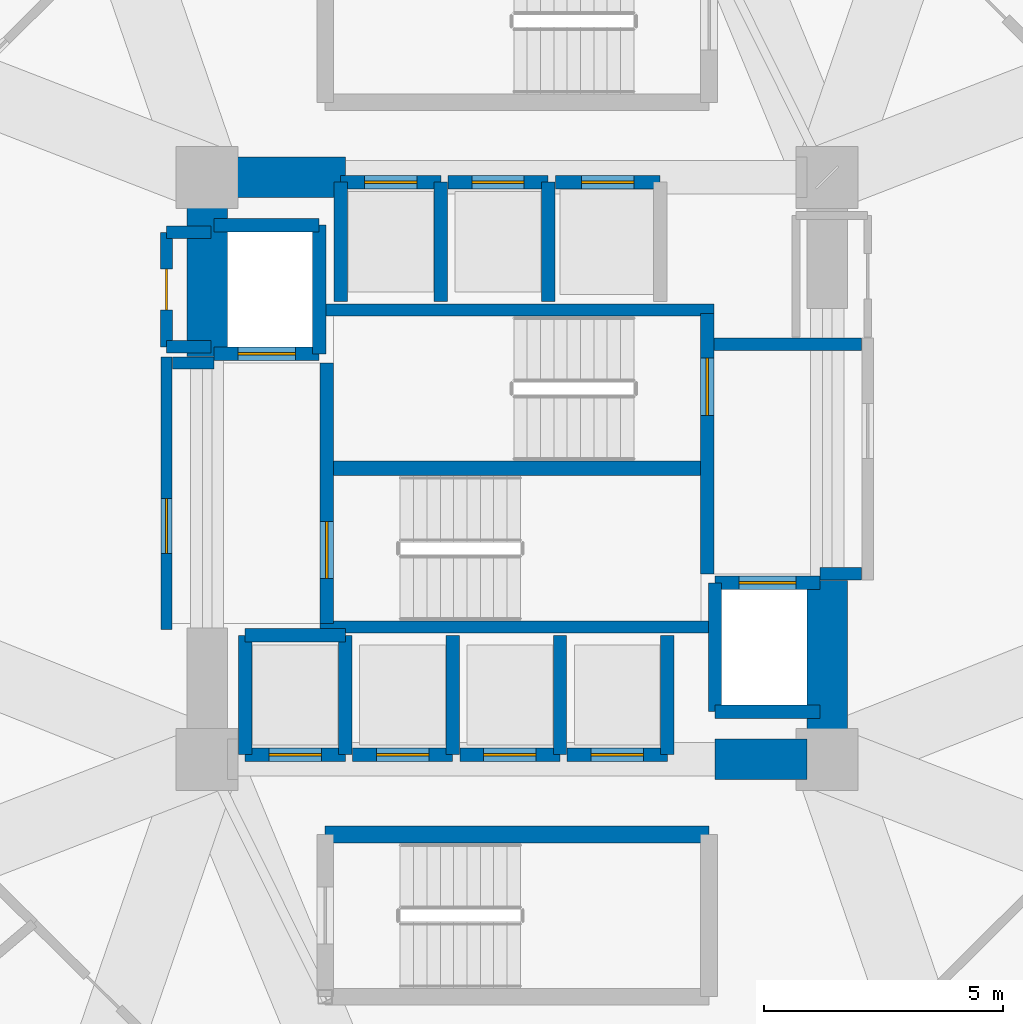
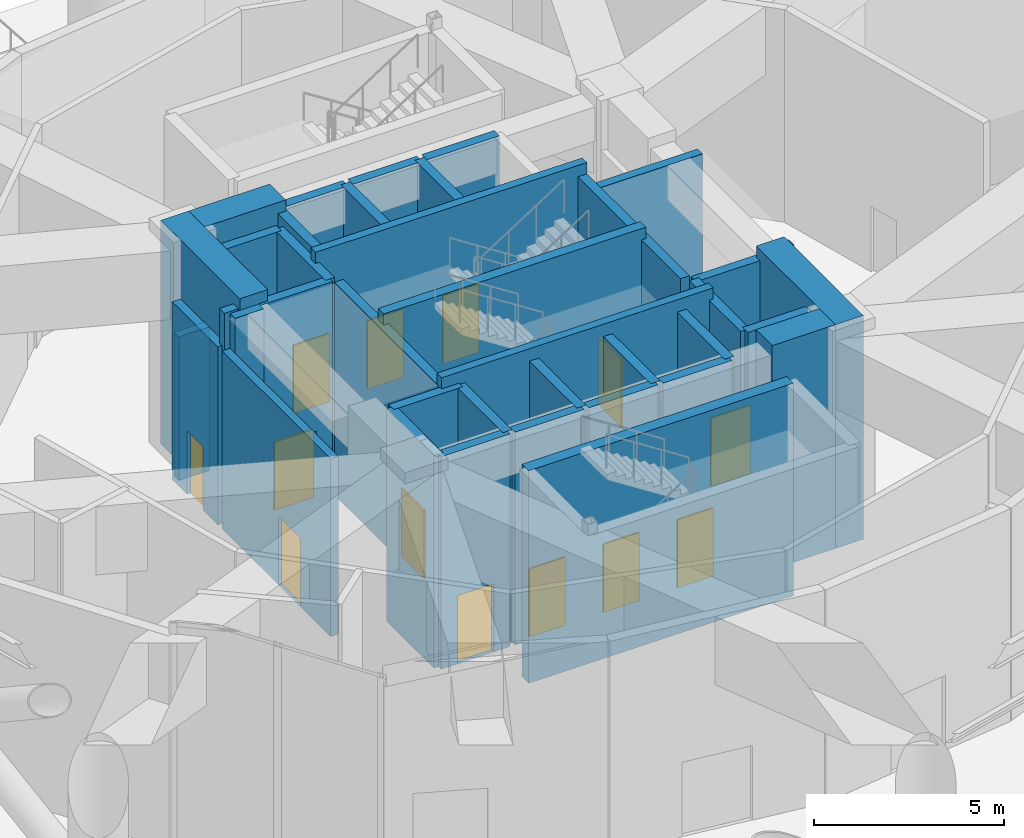
# One storey, part 10 of 16: 39 walls, 13 doors, 13 openings.
"""IFC4 building model written with IfcOpenShell, lengths in metres."""

from ifc_helpers import new_model, si_unit, direction, frame, frame_2d, origin, place, context, subcontext, project, spatial, rectangle, extrude, material, layer, layer_set, type_object, element, fill, save


model = new_model("IFC4")

# Units and contexts
model_context = context("Model", 3, precision=1e-05, world=origin(), true_north=direction((0.0, 1.0)))
body_context = subcontext(model_context, "Body", "Model", "MODEL_VIEW")
ifc_project = project(units=[si_unit("LENGTHUNIT", "METRE"), si_unit("AREAUNIT", "SQUARE_METRE"), si_unit("VOLUMEUNIT", "CUBIC_METRE"), si_unit("PLANEANGLEUNIT", "RADIAN"), si_unit("MASSUNIT", "GRAM", prefix="KILO")], contexts=[model_context])

# Site, building, storey
site_placement = place(None, origin())
site = spatial("IfcSite", under=ifc_project, at=site_placement, CompositionType="ELEMENT")
building_placement = place(site_placement, origin())
building = spatial("IfcBuilding", under=site, at=building_placement, Name="Solvirekh Grand Hotel", CompositionType="ELEMENT")
storey_placement = place(building_placement, origin())
storey = spatial("IfcBuildingStorey", under=building, at=storey_placement, Name="L00", CompositionType="ELEMENT", Elevation=0.0)

# Walls
ifc_material_1 = material(Name="Concrete C50/60", Category="concrete")
ifc_layer_1 = layer(ifc_material_1, 0.35009765625)
ifc_layer_set_1 = layer_set([ifc_layer_1], Name="Concrete C50/60")
wall_type_1 = type_object("IfcWallType", Name="CoreDivWall_RC350", PredefinedType="SOLIDWALL", material=ifc_layer_set_1)
for number, where, z_axis, x_axis, name in (
    (1, (-4.1298828125, -3.324951171875, 0.0), (0.0, 0.0, 1.0), (1.0, 0.0, 0.0), "L00 core stair box wall ST-S"),
    (2, (-4.1298828125, 3.324951171875, 0.0), (0.0, 0.0, 1.0), (1.0, 0.0, 0.0), "L00 core stair box wall ST-N"),
):
    element("IfcWall", number, at=place(storey_placement, frame(where, z_axis=z_axis, x_axis=x_axis)), inside=storey, type_object=wall_type_1, Name=name, PredefinedType="SOLIDWALL", context=body_context, shape_type="SweptSolid", body=[
        extrude(rectangle(XDim=8.259765625, YDim=0.25, at=frame_2d((4.1298828125, 0.0))), origin(), (0.0, 0.0, 1.0), 7.199951171875),
    ])
wall_1_placement = place(storey_placement, frame((4.02490234375, -7.675048828125, 0.0), z_axis=(0.0, 0.0, 1.0), x_axis=(-1.0, 0.0, 0.0)))
element("IfcWall", 3, at=wall_1_placement, inside=storey, type_object=wall_type_1, Name="L00 podium stair ST-3 N enclosure wall", PredefinedType="SOLIDWALL", context=body_context, shape_type="SweptSolid", body=[
    extrude(rectangle(XDim=8.0498046875, YDim=0.35009765625, at=frame_2d((4.02490234375, 0.0))), origin(), (0.0, 0.0, 1.0), 6.840087890625),
])

# Wall, opening, door
ifc_material_2 = material(Name="Concrete C40/50", Category="concrete")
ifc_layer_2 = layer(ifc_material_2, 0.280029296875)
ifc_layer_set_2 = layer_set([ifc_layer_2], Name="Concrete C40/50")
wall_type_2 = type_object("IfcWallType", Name="CoreShaftWall_RC280", PredefinedType="SOLIDWALL", material=ifc_layer_set_2)
wall_2_placement = place(storey_placement, frame((-5.699951171875, -6.0, 0.0), z_axis=(0.0, 0.0, 1.0), x_axis=(1.0, 0.0, 0.0)))
wall_2 = element("IfcWall", 4, at=wall_2_placement, inside=storey, type_object=wall_type_2, Name="L00 LP-1 hoistway S wall", PredefinedType="SOLIDWALL", context=body_context, shape_type="SweptSolid", body=[
    extrude(rectangle(XDim=2.099853515625, YDim=0.280029296875, at=frame_2d((1.0498046875, 0.0))), origin(), (0.0, 0.0, 1.0), 6.840087890625),
])
opening_1_placement = place(wall_2_placement, frame((0.5, 0.0, 0.0)))
opening_1 = element("IfcOpeningElement", 5, at=opening_1_placement, cuts=wall_2, Name="Opening LD01", PredefinedType="OPENING", context=body_context, shape_type="SweptSolid", body=[
    extrude(rectangle(XDim=1.10009765625, YDim=2.199951171875, at=frame_2d((0.550048828125, 1.10009765625))), frame((0.0, 0.14990234375, 0.0), z_axis=(0.0, -1.0, 0.0), x_axis=(1.0, 0.0, 0.0)), (0.0, 0.0, 1.0), 0.300048828125),
])
ifc_material_3 = material(Name="Fire-Rated Steel Door Assembly", Category="steel")
door_type_1 = type_object("IfcDoorType", Name="Door_LiftLanding_1100X2200", OperationType="SLIDING_TO_LEFT", PredefinedType="DOOR", material=ifc_material_3)
door_1_placement = place(opening_1_placement, origin())
door_1 = element("IfcDoor", 6, at=door_1_placement, inside=storey, type_object=door_type_1, Name="L00 LP-1 sliding lift landing door", OperationType="SLIDING_TO_LEFT", OverallHeight=2.199951171875, OverallWidth=1.10009765625, PredefinedType="DOOR", context=body_context, shape_type="SweptSolid", body=[
    extrude(rectangle(XDim=1.10009765625, YDim=2.199951171875, at=frame_2d((0.550048828125, 1.10009765625))), frame((0.0, 0.02490234375, 0.0), z_axis=(0.0, -1.0, 0.0), x_axis=(1.0, 0.0, 0.0)), (0.0, 0.0, 1.0), 0.050048828125),
])
fill(opening_1, door_1)

# Walls
wall_3_placement = place(storey_placement, frame((-3.60009765625, -3.5, 0.0), z_axis=(0.0, 0.0, 1.0), x_axis=(-1.0, 0.0, 0.0)))
element("IfcWall", 7, at=wall_3_placement, inside=storey, type_object=wall_type_2, Name="L00 LP-1 hoistway N wall", PredefinedType="SOLIDWALL", context=body_context, shape_type="SweptSolid", body=[
    extrude(rectangle(XDim=2.099853515625, YDim=0.280029296875, at=frame_2d((1.0498046875, 0.0))), origin(), (0.0, 0.0, 1.0), 6.840087890625),
])
for number, where, z_axis, x_axis, name in (
    (8, (-5.699951171875, -3.5, 0.0), (0.0, 0.0, 1.0), (0.0, -1.0, 0.0), "L00 LP-1 hoistway W wall"),
    (9, (-3.60009765625, -6.0, 0.0), (0.0, 0.0, 1.0), (0.0, 1.0, 0.0), "L00 LP-1 hoistway E wall"),
):
    element("IfcWall", number, at=place(storey_placement, frame(where, z_axis=z_axis, x_axis=x_axis)), inside=storey, type_object=wall_type_2, Name=name, PredefinedType="SOLIDWALL", context=body_context, shape_type="SweptSolid", body=[
        extrude(rectangle(XDim=2.5, YDim=0.280029296875, at=frame_2d((1.25, 0.0))), origin(), (0.0, 0.0, 1.0), 6.840087890625),
    ])

# Wall, opening, door
wall_4_placement = place(storey_placement, frame((-3.449951171875, -6.0, 0.0), z_axis=(0.0, 0.0, 1.0), x_axis=(1.0, 0.0, 0.0)))
wall_4 = element("IfcWall", 10, at=wall_4_placement, inside=storey, type_object=wall_type_2, Name="L00 LP-2 hoistway S wall", PredefinedType="SOLIDWALL", context=body_context, shape_type="SweptSolid", body=[
    extrude(rectangle(XDim=2.099853515625, YDim=0.280029296875, at=frame_2d((1.0498046875, 0.0))), origin(), (0.0, 0.0, 1.0), 6.840087890625),
])
opening_2_placement = place(wall_4_placement, frame((0.5, 0.0, 0.0)))
opening_2 = element("IfcOpeningElement", 11, at=opening_2_placement, cuts=wall_4, Name="Opening LD01", PredefinedType="OPENING", context=body_context, shape_type="SweptSolid", body=[
    extrude(rectangle(XDim=1.10009765625, YDim=2.199951171875, at=frame_2d((0.550048828125, 1.10009765625))), frame((0.0, 0.14990234375, 0.0), z_axis=(0.0, -1.0, 0.0), x_axis=(1.0, 0.0, 0.0)), (0.0, 0.0, 1.0), 0.300048828125),
])
door_2_placement = place(opening_2_placement, origin())
door_2 = element("IfcDoor", 12, at=door_2_placement, inside=storey, type_object=door_type_1, Name="L00 LP-2 sliding lift landing door", OperationType="SLIDING_TO_LEFT", OverallHeight=2.199951171875, OverallWidth=1.10009765625, PredefinedType="DOOR", context=body_context, shape_type="SweptSolid", body=[
    extrude(rectangle(XDim=1.10009765625, YDim=2.199951171875, at=frame_2d((0.550048828125, 1.10009765625))), frame((0.0, 0.02490234375, 0.0), z_axis=(0.0, -1.0, 0.0), x_axis=(1.0, 0.0, 0.0)), (0.0, 0.0, 1.0), 0.050048828125),
])
fill(opening_2, door_2)

# Wall
wall_5_placement = place(storey_placement, frame((-1.35009765625, -6.0, 0.0), z_axis=(0.0, 0.0, 1.0), x_axis=(0.0, 1.0, 0.0)))
element("IfcWall", 13, at=wall_5_placement, inside=storey, type_object=wall_type_2, Name="L00 LP-2 hoistway E wall", PredefinedType="SOLIDWALL", context=body_context, shape_type="SweptSolid", body=[
    extrude(rectangle(XDim=2.5, YDim=0.280029296875, at=frame_2d((1.25, 0.0))), origin(), (0.0, 0.0, 1.0), 6.840087890625),
])

# Wall, opening, door
wall_6_placement = place(storey_placement, frame((-1.199951171875, -6.0, 0.0), z_axis=(0.0, 0.0, 1.0), x_axis=(1.0, 0.0, 0.0)))
wall_6 = element("IfcWall", 14, at=wall_6_placement, inside=storey, type_object=wall_type_2, Name="L00 MP-1 hoistway S wall", PredefinedType="SOLIDWALL", context=body_context, shape_type="SweptSolid", body=[
    extrude(rectangle(XDim=2.099853515625, YDim=0.280029296875, at=frame_2d((1.0498046875, 0.0))), origin(), (0.0, 0.0, 1.0), 6.840087890625),
])
opening_3_placement = place(wall_6_placement, frame((0.5, 0.0, 0.0)))
opening_3 = element("IfcOpeningElement", 15, at=opening_3_placement, cuts=wall_6, Name="Opening LD01", PredefinedType="OPENING", context=body_context, shape_type="SweptSolid", body=[
    extrude(rectangle(XDim=1.10009765625, YDim=2.199951171875, at=frame_2d((0.550048828125, 1.10009765625))), frame((0.0, 0.14990234375, 0.0), z_axis=(0.0, -1.0, 0.0), x_axis=(1.0, 0.0, 0.0)), (0.0, 0.0, 1.0), 0.300048828125),
])
door_3_placement = place(opening_3_placement, origin())
door_3 = element("IfcDoor", 16, at=door_3_placement, inside=storey, type_object=door_type_1, Name="L00 MP-1 sliding lift landing door", OperationType="SLIDING_TO_LEFT", OverallHeight=2.199951171875, OverallWidth=1.10009765625, PredefinedType="DOOR", context=body_context, shape_type="SweptSolid", body=[
    extrude(rectangle(XDim=1.10009765625, YDim=2.199951171875, at=frame_2d((0.550048828125, 1.10009765625))), frame((0.0, 0.02490234375, 0.0), z_axis=(0.0, -1.0, 0.0), x_axis=(1.0, 0.0, 0.0)), (0.0, 0.0, 1.0), 0.050048828125),
])
fill(opening_3, door_3)

# Wall
wall_7_placement = place(storey_placement, frame((0.89990234375, -6.0, 0.0), z_axis=(0.0, 0.0, 1.0), x_axis=(0.0, 1.0, 0.0)))
element("IfcWall", 17, at=wall_7_placement, inside=storey, type_object=wall_type_2, Name="L00 MP-1 hoistway E wall", PredefinedType="SOLIDWALL", context=body_context, shape_type="SweptSolid", body=[
    extrude(rectangle(XDim=2.5, YDim=0.280029296875, at=frame_2d((1.25, 0.0))), origin(), (0.0, 0.0, 1.0), 6.840087890625),
])

# Wall, opening, door
wall_8_placement = place(storey_placement, frame((1.050048828125, -6.0, 0.0), z_axis=(0.0, 0.0, 1.0), x_axis=(1.0, 0.0, 0.0)))
wall_8 = element("IfcWall", 18, at=wall_8_placement, inside=storey, type_object=wall_type_2, Name="L00 MP-2 hoistway S wall", PredefinedType="SOLIDWALL", context=body_context, shape_type="SweptSolid", body=[
    extrude(rectangle(XDim=2.099853515625, YDim=0.280029296875, at=frame_2d((1.0498046875, 0.0))), origin(), (0.0, 0.0, 1.0), 6.840087890625),
])
opening_4_placement = place(wall_8_placement, frame((0.5, 0.0, 0.0)))
opening_4 = element("IfcOpeningElement", 19, at=opening_4_placement, cuts=wall_8, Name="Opening LD01", PredefinedType="OPENING", context=body_context, shape_type="SweptSolid", body=[
    extrude(rectangle(XDim=1.10009765625, YDim=2.199951171875, at=frame_2d((0.550048828125, 1.10009765625))), frame((0.0, 0.14990234375, 0.0), z_axis=(0.0, -1.0, 0.0), x_axis=(1.0, 0.0, 0.0)), (0.0, 0.0, 1.0), 0.300048828125),
])
door_4_placement = place(opening_4_placement, origin())
door_4 = element("IfcDoor", 20, at=door_4_placement, inside=storey, type_object=door_type_1, Name="L00 MP-2 sliding lift landing door", OperationType="SLIDING_TO_LEFT", OverallHeight=2.199951171875, OverallWidth=1.10009765625, PredefinedType="DOOR", context=body_context, shape_type="SweptSolid", body=[
    extrude(rectangle(XDim=1.10009765625, YDim=2.199951171875, at=frame_2d((0.550048828125, 1.10009765625))), frame((0.0, 0.02490234375, 0.0), z_axis=(0.0, -1.0, 0.0), x_axis=(1.0, 0.0, 0.0)), (0.0, 0.0, 1.0), 0.050048828125),
])
fill(opening_4, door_4)

# Wall
wall_9_placement = place(storey_placement, frame((3.14990234375, -6.0, 0.0), z_axis=(0.0, 0.0, 1.0), x_axis=(0.0, 1.0, 0.0)))
element("IfcWall", 21, at=wall_9_placement, inside=storey, type_object=wall_type_2, Name="L00 MP-2 hoistway E wall", PredefinedType="SOLIDWALL", context=body_context, shape_type="SweptSolid", body=[
    extrude(rectangle(XDim=2.5, YDim=0.280029296875, at=frame_2d((1.25, 0.0))), origin(), (0.0, 0.0, 1.0), 6.840087890625),
])

# Wall, opening, door
wall_10_placement = place(storey_placement, frame((-1.60009765625, 6.0, 0.0), z_axis=(0.0, 0.0, 1.0), x_axis=(-1.0, 0.0, 0.0)))
wall_10 = element("IfcWall", 22, at=wall_10_placement, inside=storey, type_object=wall_type_2, Name="L00 HP-1 hoistway N wall", PredefinedType="SOLIDWALL", context=body_context, shape_type="SweptSolid", body=[
    extrude(rectangle(XDim=2.099853515625, YDim=0.280029296875, at=frame_2d((1.0498046875, 0.0))), origin(), (0.0, 0.0, 1.0), 6.840087890625),
])
opening_5_placement = place(wall_10_placement, frame((0.5, 0.0, 0.0)))
opening_5 = element("IfcOpeningElement", 23, at=opening_5_placement, cuts=wall_10, Name="Opening LD01", PredefinedType="OPENING", context=body_context, shape_type="SweptSolid", body=[
    extrude(rectangle(XDim=1.10009765625, YDim=2.199951171875, at=frame_2d((0.550048828125, 1.10009765625))), frame((0.0, 0.14990234375, 0.0), z_axis=(0.0, -1.0, 0.0), x_axis=(1.0, 0.0, 0.0)), (0.0, 0.0, 1.0), 0.300048828125),
])
door_5_placement = place(opening_5_placement, origin())
door_5 = element("IfcDoor", 24, at=door_5_placement, inside=storey, type_object=door_type_1, Name="L00 HP-1 sliding lift landing door", OperationType="SLIDING_TO_LEFT", OverallHeight=2.199951171875, OverallWidth=1.10009765625, PredefinedType="DOOR", context=body_context, shape_type="SweptSolid", body=[
    extrude(rectangle(XDim=1.10009765625, YDim=2.199951171875, at=frame_2d((0.550048828125, 1.10009765625))), frame((0.0, 0.02490234375, 0.0), z_axis=(0.0, -1.0, 0.0), x_axis=(1.0, 0.0, 0.0)), (0.0, 0.0, 1.0), 0.050048828125),
])
fill(opening_5, door_5)

# Walls
for number, where, z_axis, x_axis, name in (
    (25, (-3.699951171875, 6.0, 0.0), (0.0, 0.0, 1.0), (0.0, -1.0, 0.0), "L00 HP-1 hoistway W wall"),
    (26, (-1.60009765625, 3.5, 0.0), (0.0, 0.0, 1.0), (0.0, 1.0, 0.0), "L00 HP-1 hoistway E wall"),
):
    element("IfcWall", number, at=place(storey_placement, frame(where, z_axis=z_axis, x_axis=x_axis)), inside=storey, type_object=wall_type_2, Name=name, PredefinedType="SOLIDWALL", context=body_context, shape_type="SweptSolid", body=[
        extrude(rectangle(XDim=2.5, YDim=0.280029296875, at=frame_2d((1.25, 0.0))), origin(), (0.0, 0.0, 1.0), 6.840087890625),
    ])

# Wall, opening, door
wall_11_placement = place(storey_placement, frame((0.64990234375, 6.0, 0.0), z_axis=(0.0, 0.0, 1.0), x_axis=(-1.0, 0.0, 0.0)))
wall_11 = element("IfcWall", 27, at=wall_11_placement, inside=storey, type_object=wall_type_2, Name="L00 HP-2 hoistway N wall", PredefinedType="SOLIDWALL", context=body_context, shape_type="SweptSolid", body=[
    extrude(rectangle(XDim=2.099853515625, YDim=0.280029296875, at=frame_2d((1.0498046875, 0.0))), origin(), (0.0, 0.0, 1.0), 6.840087890625),
])
opening_6_placement = place(wall_11_placement, frame((0.5, 0.0, 0.0)))
opening_6 = element("IfcOpeningElement", 28, at=opening_6_placement, cuts=wall_11, Name="Opening LD01", PredefinedType="OPENING", context=body_context, shape_type="SweptSolid", body=[
    extrude(rectangle(XDim=1.10009765625, YDim=2.199951171875, at=frame_2d((0.550048828125, 1.10009765625))), frame((0.0, 0.14990234375, 0.0), z_axis=(0.0, -1.0, 0.0), x_axis=(1.0, 0.0, 0.0)), (0.0, 0.0, 1.0), 0.300048828125),
])
door_6_placement = place(opening_6_placement, origin())
door_6 = element("IfcDoor", 29, at=door_6_placement, inside=storey, type_object=door_type_1, Name="L00 HP-2 sliding lift landing door", OperationType="SLIDING_TO_LEFT", OverallHeight=2.199951171875, OverallWidth=1.10009765625, PredefinedType="DOOR", context=body_context, shape_type="SweptSolid", body=[
    extrude(rectangle(XDim=1.10009765625, YDim=2.199951171875, at=frame_2d((0.550048828125, 1.10009765625))), frame((0.0, 0.02490234375, 0.0), z_axis=(0.0, -1.0, 0.0), x_axis=(1.0, 0.0, 0.0)), (0.0, 0.0, 1.0), 0.050048828125),
])
fill(opening_6, door_6)

# Wall
wall_12_placement = place(storey_placement, frame((0.64990234375, 3.5, 0.0), z_axis=(0.0, 0.0, 1.0), x_axis=(0.0, 1.0, 0.0)))
element("IfcWall", 30, at=wall_12_placement, inside=storey, type_object=wall_type_2, Name="L00 HP-2 hoistway E wall", PredefinedType="SOLIDWALL", context=body_context, shape_type="SweptSolid", body=[
    extrude(rectangle(XDim=2.5, YDim=0.280029296875, at=frame_2d((1.25, 0.0))), origin(), (0.0, 0.0, 1.0), 6.840087890625),
])

# Wall, opening, door
wall_13_placement = place(storey_placement, frame((3.0, 6.0, 0.0), z_axis=(0.0, 0.0, 1.0), x_axis=(-1.0, 0.0, 0.0)))
wall_13 = element("IfcWall", 31, at=wall_13_placement, inside=storey, type_object=wall_type_2, Name="L00 EX-1 hoistway N wall", PredefinedType="SOLIDWALL", context=body_context, shape_type="SweptSolid", body=[
    extrude(rectangle(XDim=2.199951171875, YDim=0.280029296875, at=frame_2d((1.10009765625, 0.0))), origin(), (0.0, 0.0, 1.0), 6.840087890625),
])
opening_7_placement = place(wall_13_placement, frame((0.550048828125, 0.0, 0.0)))
opening_7 = element("IfcOpeningElement", 32, at=opening_7_placement, cuts=wall_13, Name="Opening LD01", PredefinedType="OPENING", context=body_context, shape_type="SweptSolid", body=[
    extrude(rectangle(XDim=1.10009765625, YDim=2.199951171875, at=frame_2d((0.550048828125, 1.10009765625))), frame((0.0, 0.14990234375, 0.0), z_axis=(0.0, -1.0, 0.0), x_axis=(1.0, 0.0, 0.0)), (0.0, 0.0, 1.0), 0.300048828125),
])
door_7_placement = place(opening_7_placement, origin())
door_7 = element("IfcDoor", 33, at=door_7_placement, inside=storey, type_object=door_type_1, Name="L00 EX-1 sliding lift landing door", OperationType="SLIDING_TO_LEFT", OverallHeight=2.199951171875, OverallWidth=1.10009765625, PredefinedType="DOOR", context=body_context, shape_type="SweptSolid", body=[
    extrude(rectangle(XDim=1.10009765625, YDim=2.199951171875, at=frame_2d((0.550048828125, 1.10009765625))), frame((0.0, 0.02490234375, 0.0), z_axis=(0.0, -1.0, 0.0), x_axis=(1.0, 0.0, 0.0)), (0.0, 0.0, 1.0), 0.050048828125),
])
fill(opening_7, door_7)

wall_14_placement = place(storey_placement, frame((-6.35009765625, 2.39990234375, 0.0), z_axis=(0.0, 0.0, 1.0), x_axis=(1.0, 0.0, 0.0)))
wall_14 = element("IfcWall", 34, at=wall_14_placement, inside=storey, type_object=wall_type_2, Name="L00 FL-1 hoistway S wall", PredefinedType="SOLIDWALL", context=body_context, shape_type="SweptSolid", body=[
    extrude(rectangle(XDim=2.2001953125, YDim=0.280029296875, at=frame_2d((1.10009765625, 0.0))), origin(), (0.0, 0.0, 1.0), 6.840087890625),
])
opening_8_placement = place(wall_14_placement, frame((0.5, 0.0, 0.0)))
opening_8 = element("IfcOpeningElement", 35, at=opening_8_placement, cuts=wall_14, Name="Opening LD02", PredefinedType="OPENING", context=body_context, shape_type="SweptSolid", body=[
    extrude(rectangle(XDim=1.199951171875, YDim=2.199951171875, at=frame_2d((0.60009765625, 1.10009765625))), frame((0.0, 0.14990234375, 0.0), z_axis=(0.0, -1.0, 0.0), x_axis=(1.0, 0.0, 0.0)), (0.0, 0.0, 1.0), 0.300048828125),
])
door_type_2 = type_object("IfcDoorType", Name="Door_LiftFF_1200X2200", OperationType="SLIDING_TO_LEFT", PredefinedType="DOOR", material=ifc_material_3)
door_8_placement = place(opening_8_placement, origin())
door_8 = element("IfcDoor", 36, at=door_8_placement, inside=storey, type_object=door_type_2, Name="L00 FL-1 sliding lift landing door", OperationType="SLIDING_TO_LEFT", OverallHeight=2.199951171875, OverallWidth=1.199951171875, PredefinedType="DOOR", context=body_context, shape_type="SweptSolid", body=[
    extrude(rectangle(XDim=1.199951171875, YDim=2.199951171875, at=frame_2d((0.60009765625, 1.10009765625))), frame((0.0, 0.02490234375, 0.0), z_axis=(0.0, -1.0, 0.0), x_axis=(1.0, 0.0, 0.0)), (0.0, 0.0, 1.0), 0.050048828125),
])
fill(opening_8, door_8)

# Walls
wall_15_placement = place(storey_placement, frame((-4.14990234375, 5.10009765625, 0.0), z_axis=(0.0, 0.0, 1.0), x_axis=(-1.0, 0.0, 0.0)))
element("IfcWall", 37, at=wall_15_placement, inside=storey, type_object=wall_type_2, Name="L00 FL-1 hoistway N wall", PredefinedType="SOLIDWALL", context=body_context, shape_type="SweptSolid", body=[
    extrude(rectangle(XDim=2.2001953125, YDim=0.280029296875, at=frame_2d((1.10009765625, 0.0))), origin(), (0.0, 0.0, 1.0), 6.840087890625),
])
wall_16_placement = place(storey_placement, frame((-4.14990234375, 2.39990234375, 0.0), z_axis=(0.0, 0.0, 1.0), x_axis=(0.0, 1.0, 0.0)))
element("IfcWall", 38, at=wall_16_placement, inside=storey, type_object=wall_type_2, Name="L00 FL-1 hoistway E wall", PredefinedType="SOLIDWALL", context=body_context, shape_type="SweptSolid", body=[
    extrude(rectangle(XDim=2.7001953125, YDim=0.280029296875, at=frame_2d((1.35009765625, 0.0))), origin(), (0.0, 0.0, 1.0), 6.840087890625),
])
wall_17_placement = place(storey_placement, frame((4.14990234375, -5.10009765625, 0.0), z_axis=(0.0, 0.0, 1.0), x_axis=(1.0, 0.0, 0.0)))
element("IfcWall", 39, at=wall_17_placement, inside=storey, type_object=wall_type_2, Name="L00 FL-2 hoistway S wall", PredefinedType="SOLIDWALL", context=body_context, shape_type="SweptSolid", body=[
    extrude(rectangle(XDim=2.2001953125, YDim=0.280029296875, at=frame_2d((1.10009765625, 0.0))), origin(), (0.0, 0.0, 1.0), 6.840087890625),
])

# Wall, opening, door
wall_18_placement = place(storey_placement, frame((6.35009765625, -2.39990234375, 0.0), z_axis=(0.0, 0.0, 1.0), x_axis=(-1.0, 0.0, 0.0)))
wall_18 = element("IfcWall", 40, at=wall_18_placement, inside=storey, type_object=wall_type_2, Name="L00 FL-2 hoistway N wall", PredefinedType="SOLIDWALL", context=body_context, shape_type="SweptSolid", body=[
    extrude(rectangle(XDim=2.2001953125, YDim=0.280029296875, at=frame_2d((1.10009765625, 0.0))), origin(), (0.0, 0.0, 1.0), 6.840087890625),
])
opening_9_placement = place(wall_18_placement, frame((0.5, 0.0, 0.0)))
opening_9 = element("IfcOpeningElement", 41, at=opening_9_placement, cuts=wall_18, Name="Opening LD02", PredefinedType="OPENING", context=body_context, shape_type="SweptSolid", body=[
    extrude(rectangle(XDim=1.199951171875, YDim=2.199951171875, at=frame_2d((0.60009765625, 1.10009765625))), frame((0.0, 0.14990234375, 0.0), z_axis=(0.0, -1.0, 0.0), x_axis=(1.0, 0.0, 0.0)), (0.0, 0.0, 1.0), 0.300048828125),
])
door_9_placement = place(opening_9_placement, origin())
door_9 = element("IfcDoor", 42, at=door_9_placement, inside=storey, type_object=door_type_2, Name="L00 FL-2 sliding lift landing door", OperationType="SLIDING_TO_LEFT", OverallHeight=2.199951171875, OverallWidth=1.199951171875, PredefinedType="DOOR", context=body_context, shape_type="SweptSolid", body=[
    extrude(rectangle(XDim=1.199951171875, YDim=2.199951171875, at=frame_2d((0.60009765625, 1.10009765625))), frame((0.0, 0.02490234375, 0.0), z_axis=(0.0, -1.0, 0.0), x_axis=(1.0, 0.0, 0.0)), (0.0, 0.0, 1.0), 0.050048828125),
])
fill(opening_9, door_9)

# Wall
wall_19_placement = place(storey_placement, frame((4.14990234375, -2.39990234375, 0.0), z_axis=(0.0, 0.0, 1.0), x_axis=(0.0, -1.0, 0.0)))
element("IfcWall", 43, at=wall_19_placement, inside=storey, type_object=wall_type_2, Name="L00 FL-2 hoistway W wall", PredefinedType="SOLIDWALL", context=body_context, shape_type="SweptSolid", body=[
    extrude(rectangle(XDim=2.7001953125, YDim=0.280029296875, at=frame_2d((1.35009765625, 0.0))), origin(), (0.0, 0.0, 1.0), 6.840087890625),
])

# Wall, opening, door
wall_20_placement = place(storey_placement, frame((-3.989990234375, -3.25, 0.0), z_axis=(0.0, 0.0, 1.0), x_axis=(0.0, 1.0, 0.0)))
wall_20 = element("IfcWall", 44, at=wall_20_placement, inside=storey, type_object=wall_type_2, Name="L00 west stair landing enclosure wall", PredefinedType="SOLIDWALL", context=body_context, shape_type="SweptSolid", body=[
    extrude(rectangle(XDim=5.4599609375, YDim=0.280029296875, at=frame_2d((2.72998046875, 0.0))), origin(), (0.0, 0.0, 1.0), 6.840087890625),
])
opening_10_placement = place(wall_20_placement, frame((0.93701171875, 0.0, 0.0)))
opening_10 = element("IfcOpeningElement", 45, at=opening_10_placement, cuts=wall_20, Name="Opening D05", PredefinedType="OPENING", context=body_context, shape_type="SweptSolid", body=[
    extrude(rectangle(XDim=1.199951171875, YDim=2.199951171875, at=frame_2d((0.60009765625, 1.10009765625))), frame((0.0, 0.14990234375, 0.0), z_axis=(0.0, -1.0, 0.0), x_axis=(1.0, 0.0, 0.0)), (0.0, 0.0, 1.0), 0.300048828125),
])
door_type_3 = type_object("IfcDoorType", Name="Door_StairCore_1200X2200", OperationType="NOTDEFINED", PredefinedType="DOOR", material=ifc_material_3)
door_10_placement = place(opening_10_placement, origin())
door_10 = element("IfcDoor", 46, at=door_10_placement, inside=storey, type_object=door_type_3, Name="L00 exit stair ST-1 fire door", OperationType="SINGLE_SWING_LEFT", OverallHeight=2.199951171875, OverallWidth=1.199951171875, PredefinedType="DOOR", context=body_context, shape_type="SweptSolid", body=[
    extrude(rectangle(XDim=1.199951171875, YDim=2.199951171875, at=frame_2d((0.60009765625, 1.10009765625))), frame((0.0, 0.02490234375, 0.0), z_axis=(0.0, -1.0, 0.0), x_axis=(1.0, 0.0, 0.0)), (0.0, 0.0, 1.0), 0.050048828125),
])
fill(opening_10, door_10)

wall_21_placement = place(storey_placement, frame((3.989990234375, -2.2099609375, 0.0), z_axis=(0.0, 0.0, 1.0), x_axis=(0.0, 1.0, 0.0)))
wall_21 = element("IfcWall", 47, at=wall_21_placement, inside=storey, type_object=wall_type_2, Name="L00 east stair landing enclosure wall", PredefinedType="SOLIDWALL", context=body_context, shape_type="SweptSolid", body=[
    extrude(rectangle(XDim=5.4599609375, YDim=0.280029296875, at=frame_2d((2.72998046875, 0.0))), origin(), (0.0, 0.0, 1.0), 6.840087890625),
])
opening_11_placement = place(wall_21_placement, frame((3.322998046875, 0.0, 0.0)))
opening_11 = element("IfcOpeningElement", 48, at=opening_11_placement, cuts=wall_21, Name="Opening D05", PredefinedType="OPENING", context=body_context, shape_type="SweptSolid", body=[
    extrude(rectangle(XDim=1.199951171875, YDim=2.199951171875, at=frame_2d((0.60009765625, 1.10009765625))), frame((0.0, 0.14990234375, 0.0), z_axis=(0.0, -1.0, 0.0), x_axis=(1.0, 0.0, 0.0)), (0.0, 0.0, 1.0), 0.300048828125),
])
door_11_placement = place(opening_11_placement, origin())
door_11 = element("IfcDoor", 49, at=door_11_placement, inside=storey, type_object=door_type_3, Name="L00 exit stair ST-2 fire door", OperationType="SINGLE_SWING_RIGHT", OverallHeight=2.199951171875, OverallWidth=1.199951171875, PredefinedType="DOOR", context=body_context, shape_type="SweptSolid", body=[
    extrude(rectangle(XDim=1.199951171875, YDim=2.199951171875, at=frame_2d((0.60009765625, 1.10009765625))), frame((0.0, 0.02490234375, 0.0), z_axis=(0.0, -1.0, 0.0), x_axis=(1.0, 0.0, 0.0)), (0.0, 0.0, 1.0), 0.050048828125),
])
fill(opening_11, door_11)

# Walls
ifc_material_4 = material(Name="Concrete C60/75", Category="concrete")
ifc_layer_3 = layer(ifc_material_4, 0.85009765625)
ifc_layer_set_3 = layer_set([ifc_layer_3], Name="Concrete C60/75")
wall_type_3 = type_object("IfcWallType", Name="CoreWall_RC850", PredefinedType="SHEAR", material=ifc_layer_set_3)
wall_22_placement = place(storey_placement, frame((-3.989990234375, 0.0, 0.0), z_axis=(0.0, 0.0, 1.0), x_axis=(1.0, 0.0, 0.0)))
element("IfcWall", 50, at=wall_22_placement, inside=storey, type_object=wall_type_3, Name="L00 central stair-spine shear wall", PredefinedType="SHEAR", context=body_context, shape_type="SweptSolid", body=[
    extrude(rectangle(XDim=7.97998046875, YDim=0.300048828125, at=frame_2d((3.989990234375, 0.0))), origin(), (0.0, 0.0, 1.0), 7.199951171875),
])
wall_23_placement = place(storey_placement, frame((4.14990234375, -6.10009765625, 0.0), z_axis=(0.0, 0.0, 1.0), x_axis=(1.0, 0.0, 0.0)))
element("IfcWall", 51, at=wall_23_placement, inside=storey, type_object=wall_type_3, Name="L00 core corner shear wall SE-S", PredefinedType="SHEAR", context=body_context, shape_type="SweptSolid", body=[
    extrude(rectangle(XDim=1.925048828125, YDim=0.85009765625, at=frame_2d((0.96240234375, 0.0))), origin(), (0.0, 0.0, 1.0), 7.199951171875),
])
wall_24_placement = place(storey_placement, frame((-6.074951171875, 6.10009765625, 0.0), z_axis=(0.0, 0.0, 1.0), x_axis=(1.0, 0.0, 0.0)))
element("IfcWall", 52, at=wall_24_placement, inside=storey, type_object=wall_type_3, Name="L00 core corner shear wall NW-N", PredefinedType="SHEAR", context=body_context, shape_type="SweptSolid", body=[
    extrude(rectangle(XDim=2.474853515625, YDim=0.85009765625, at=frame_2d((1.2373046875, 0.0))), origin(), (0.0, 0.0, 1.0), 7.199951171875),
])
for number, where, z_axis, x_axis, name in (
    (53, (-6.5, 2.35009765625, 0.0), (0.0, 0.0, 1.0), (0.0, 1.0, 0.0), "L00 core corner shear wall WN-W"),
    (54, (6.5, -6.52490234375, 0.0), (0.0, 0.0, 1.0), (0.0, 1.0, 0.0), "L00 core corner shear wall ES-E"),
):
    element("IfcWall", number, at=place(storey_placement, frame(where, z_axis=z_axis, x_axis=x_axis)), inside=storey, type_object=wall_type_3, Name=name, PredefinedType="SHEAR", context=body_context, shape_type="SweptSolid", body=[
        extrude(rectangle(XDim=4.1748046875, YDim=0.85009765625, at=frame_2d((2.08740234375, 0.0))), origin(), (0.0, 0.0, 1.0), 7.199951171875),
    ])

# Wall, opening, door
ifc_material_5 = material(Name="Acoustic Gypsum Partition Assembly")
ifc_layer_4 = layer(ifc_material_5, 0.239990234375)
ifc_layer_set_4 = layer_set([ifc_layer_4], Name="Acoustic Gypsum Partition Assembly")
wall_type_4 = type_object("IfcWallType", Name="Part_Corridor_240", PredefinedType="PARTITIONING", material=ifc_layer_set_4)
wall_25_placement = place(storey_placement, frame((-7.35009765625, -3.3798828125, 0.0), z_axis=(0.0, 0.0, 1.0), x_axis=(0.0, 1.0, 0.0)))
wall_25 = element("IfcWall", 55, at=wall_25_placement, inside=storey, type_object=wall_type_4, Name="L00 west firefighting lobby smoke screen wall", PredefinedType="PARTITIONING", context=body_context, shape_type="SweptSolid", body=[
    extrude(rectangle(XDim=5.719970703125, YDim=0.239990234375, at=frame_2d((2.85986328125, 0.0))), origin(), (0.0, 0.0, 1.0), 5.72509765625),
])
opening_12_placement = place(wall_25_placement, frame((1.59912109375, 0.0, 0.0)))
opening_12 = element("IfcOpeningElement", 56, at=opening_12_placement, cuts=wall_25, Name="Opening D06", PredefinedType="OPENING", context=body_context, shape_type="SweptSolid", body=[
    extrude(rectangle(XDim=1.14990234375, YDim=2.199951171875, at=frame_2d((0.574951171875, 1.10009765625))), frame((0.0, 0.1298828125, 0.0), z_axis=(0.0, -1.0, 0.0), x_axis=(1.0, 0.0, 0.0)), (0.0, 0.0, 1.0), 0.260009765625),
])
door_type_4 = type_object("IfcDoorType", Name="Door_FFLobby_1150X2200", OperationType="NOTDEFINED", PredefinedType="DOOR", material=ifc_material_3)
door_12_placement = place(opening_12_placement, origin())
door_12 = element("IfcDoor", 57, at=door_12_placement, inside=storey, type_object=door_type_4, Name="L00 west firefighting lobby smoke door", OperationType="SINGLE_SWING_LEFT", OverallHeight=2.199951171875, OverallWidth=1.14990234375, PredefinedType="DOOR", context=body_context, shape_type="SweptSolid", body=[
    extrude(rectangle(XDim=1.14990234375, YDim=2.199951171875, at=frame_2d((0.574951171875, 1.10009765625))), frame((0.0, 0.02490234375, 0.0), z_axis=(0.0, -1.0, 0.0), x_axis=(1.0, 0.0, 0.0)), (0.0, 0.0, 1.0), 0.050048828125),
])
fill(opening_12, door_12)

# Walls
ifc_layer_5 = layer(ifc_material_5, 0.260009765625)
ifc_layer_set_5 = layer_set([ifc_layer_5], Name="Acoustic Gypsum Partition Assembly")
wall_type_5 = type_object("IfcWallType", Name="Part_LobbyFF_260", PredefinedType="PARTITIONING", material=ifc_layer_set_5)
for number, where, z_axis, x_axis, name in (
    (58, (-7.22509765625, 2.2099609375, 0.0), (0.0, 0.0, 1.0), (1.0, 0.0, 0.0), "L00 west firefighting lobby NW cheek"),
    (59, (6.35009765625, -2.2099609375, 0.0), (0.0, 0.0, 1.0), (1.0, 0.0, 0.0), "L00 east firefighting lobby SE cheek"),
):
    element("IfcWall", number, at=place(storey_placement, frame(where, z_axis=z_axis, x_axis=x_axis)), inside=storey, type_object=wall_type_5, Name=name, PredefinedType="PARTITIONING", context=body_context, shape_type="SweptSolid", body=[
        extrude(rectangle(XDim=0.875, YDim=0.260009765625, at=frame_2d((0.4375, 0.0))), origin(), (0.0, 0.0, 1.0), 6.840087890625),
    ])
wall_26_placement = place(storey_placement, frame((4.1298828125, 2.60009765625, 0.0), z_axis=(0.0, 0.0, 1.0), x_axis=(1.0, 0.0, 0.0)))
element("IfcWall", 60, at=wall_26_placement, inside=storey, type_object=wall_type_5, Name="L00 east firefighting lobby north partition", PredefinedType="PARTITIONING", context=body_context, shape_type="SweptSolid", body=[
    extrude(rectangle(XDim=3.09521484375, YDim=0.260009765625, at=frame_2d((1.547607421875, 0.0))), origin(), (0.0, 0.0, 1.0), 6.840087890625),
])
wall_27_placement = place(storey_placement, frame((-7.35009765625, 4.949951171875, 0.0), z_axis=(0.0, 0.0, 1.0), x_axis=(1.0, 0.0, 0.0)))
element("IfcWall", 61, at=wall_27_placement, inside=storey, type_object=wall_type_5, Name="L00 NW telecom metering cupboard north wall", PredefinedType="PARTITIONING", context=body_context, shape_type="SweptSolid", body=[
    extrude(rectangle(XDim=0.93017578125, YDim=0.260009765625, at=frame_2d((0.465087890625, 0.0))), origin(), (0.0, 0.0, 1.0), 4.625),
])
wall_28_placement = place(storey_placement, frame((-7.35009765625, 2.550048828125, 0.0), z_axis=(0.0, 0.0, 1.0), x_axis=(1.0, 0.0, 0.0)))
element("IfcWall", 62, at=wall_28_placement, inside=storey, type_object=wall_type_5, Name="L00 NW telecom metering cupboard south wall", PredefinedType="PARTITIONING", context=body_context, shape_type="SweptSolid", body=[
    extrude(rectangle(XDim=0.93017578125, YDim=0.260009765625, at=frame_2d((0.465087890625, 0.0))), origin(), (0.0, 0.0, 1.0), 6.840087890625),
])

# Wall, opening, door
wall_29_placement = place(storey_placement, frame((-7.35009765625, 2.550048828125, 0.0), z_axis=(0.0, 0.0, 1.0), x_axis=(0.0, 1.0, 0.0)))
wall_29 = element("IfcWall", 63, at=wall_29_placement, inside=storey, type_object=wall_type_5, Name="L00 NW telecom metering cupboard access wall", PredefinedType="PARTITIONING", context=body_context, shape_type="SweptSolid", body=[
    extrude(rectangle(XDim=2.39990234375, YDim=0.260009765625, at=frame_2d((1.199951171875, 0.0))), origin(), (0.0, 0.0, 1.0), 5.72509765625),
])
opening_13_placement = place(wall_29_placement, frame((0.77490234375, 0.0, 0.0)))
opening_13 = element("IfcOpeningElement", 64, at=opening_13_placement, cuts=wall_29, Name="Opening D13", PredefinedType="OPENING", context=body_context, shape_type="SweptSolid", body=[
    extrude(rectangle(XDim=0.85009765625, YDim=2.050048828125, at=frame_2d((0.425048828125, 1.02490234375))), frame((0.0, 0.14013671875, 0.0), z_axis=(0.0, -1.0, 0.0), x_axis=(1.0, 0.0, 0.0)), (0.0, 0.0, 1.0), 0.280029296875),
])
door_type_5 = type_object("IfcDoorType", Name="Door_RiserShaft_850X2050", OperationType="NOTDEFINED", PredefinedType="DOOR", material=ifc_material_3)
door_13_placement = place(opening_13_placement, origin())
door_13 = element("IfcDoor", 65, at=door_13_placement, inside=storey, type_object=door_type_5, Name="L00 telecom metering cupboard access door", OperationType="SINGLE_SWING_LEFT", OverallHeight=2.050048828125, OverallWidth=0.85009765625, PredefinedType="DOOR", context=body_context, shape_type="SweptSolid", body=[
    extrude(rectangle(XDim=0.85009765625, YDim=2.050048828125, at=frame_2d((0.425048828125, 1.02490234375))), frame((0.0, 0.02490234375, 0.0), z_axis=(0.0, -1.0, 0.0), x_axis=(1.0, 0.0, 0.0)), (0.0, 0.0, 1.0), 0.050048828125),
])
fill(opening_13, door_13)

save(model, "model.ifc")
